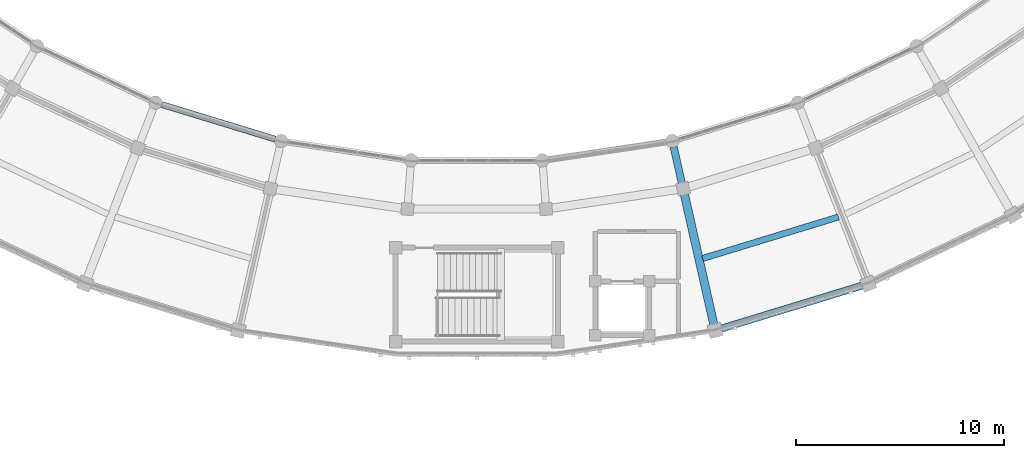
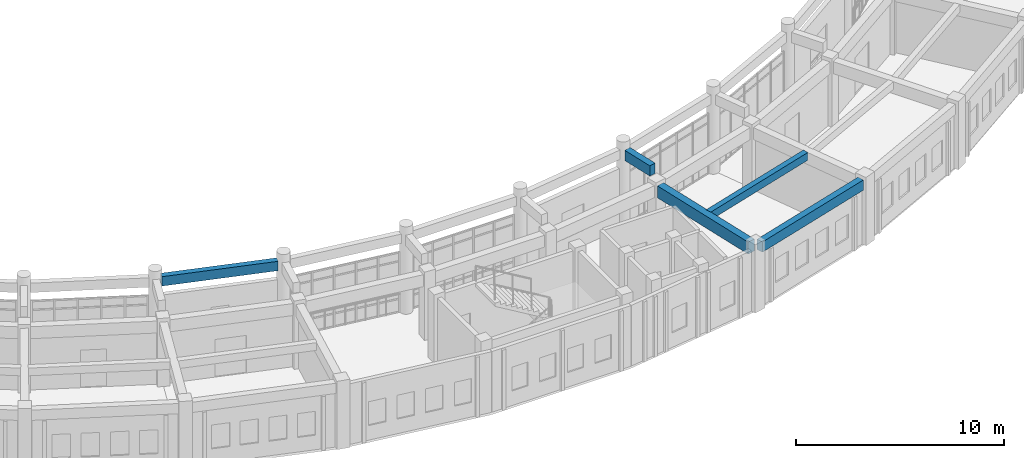
# One storey, part 35 of 159: 5 beams.
"""IFC4 building model written with IfcOpenShell, lengths in metres."""

from ifc_helpers import new_model, si_unit, direction, frame, origin, origin_2d, place, context, subcontext, project, spatial, rectangle, extrude, material, material_profile, profile_set, type_object, element, save


model = new_model("IFC4")

# Units and contexts
model_context = context("Model", 3, precision=1e-05, world=origin(), true_north=direction((0.0, 1.0)))
body_context = subcontext(model_context, "Body", "Model", "MODEL_VIEW")
ifc_project = project(units=[si_unit("LENGTHUNIT", "METRE"), si_unit("AREAUNIT", "SQUARE_METRE"), si_unit("VOLUMEUNIT", "CUBIC_METRE"), si_unit("PLANEANGLEUNIT", "RADIAN"), si_unit("MASSUNIT", "GRAM", prefix="KILO")], contexts=[model_context])

# Site, building, storey
site_placement = place(None, origin())
site = spatial("IfcSite", under=ifc_project, at=site_placement, CompositionType="ELEMENT")
building_placement = place(site_placement, origin())
building = spatial("IfcBuilding", under=site, at=building_placement, Name="Celadon Cloister-Ring School", CompositionType="ELEMENT")
storey_placement = place(building_placement, frame((0.0, 0.0, 4.5)))
storey = spatial("IfcBuildingStorey", under=building, at=storey_placement, Name="L01", CompositionType="ELEMENT", Elevation=4.5)

# Beams
ifc_material_1 = material(Name="Concrete C35/45", Category="concrete")
ifc_material_profile_1 = material_profile(ifc_material_1, rectangle(XDim=0.35009765625, YDim=0.60009765625, at=origin_2d()), Name="RC350X600")
ifc_profile_set_1 = profile_set([ifc_material_profile_1], Name="Concrete C35/45")
beam_type_1 = type_object("IfcBeamType", Name="BT-02", PredefinedType="BEAM", material=ifc_profile_set_1)
beam_1_placement = place(storey_placement, frame((96.865966796875, 15.376953125, 4.35009765625), z_axis=(-0.220788618037, 0.975321683418, 0.0), x_axis=(-0.975321683418, -0.220788618037, 0.0)))
element("IfcBeam", 1, at=beam_1_placement, inside=storey, type_object=beam_type_1, Name="Beam 0235", PredefinedType="BEAM", context=body_context, shape_type="SweptSolid", body=[
    extrude(rectangle(XDim=0.35009765625, YDim=0.60009765625, at=origin_2d()), origin(), (0.0, 0.0, 1.0), 1.774658203125),
])
ifc_material_2 = material(Name="Concrete C35/45", Category="concrete")
ifc_material_profile_2 = material_profile(ifc_material_2, rectangle(XDim=0.39990234375, YDim=0.699951171875, at=origin_2d()), Name="RC400X700")
ifc_profile_set_2 = profile_set([ifc_material_profile_2], Name="Concrete C35/45")
beam_type_2 = type_object("IfcBeamType", Name="GT-03", PredefinedType="USERDEFINED", material=ifc_profile_set_2)
beam_2_placement = place(storey_placement, frame((98.405029296875, 8.573974609375, 3.429931640625), z_axis=(-0.220533763019, 0.975379341266, 0.0), x_axis=(-0.975379341266, -0.220533763019, 0.0)))
element("IfcBeam", 2, at=beam_2_placement, inside=storey, type_object=beam_type_2, Name="Beam 0234", ObjectType="GIRDER", PredefinedType="USERDEFINED", context=body_context, shape_type="SweptSolid", body=[
    extrude(rectangle(XDim=0.39990234375, YDim=0.699951171875, at=origin_2d()), origin(), (0.0, 0.0, 1.0), 6.42529296875),
])
ifc_material_3 = material(Name="Concrete C35/45", Category="concrete")
ifc_material_profile_3 = material_profile(ifc_material_3, rectangle(XDim=0.300048828125, YDim=0.449951171875, at=origin_2d()), Name="RC300X450")
ifc_profile_set_3 = profile_set([ifc_material_profile_3], Name="Concrete C35/45")
beam_type_3 = type_object("IfcBeamType", Name="JT-01", PredefinedType="JOIST", material=ifc_profile_set_3)
beam_3_placement = place(storey_placement, frame((97.865966796875, 11.74609375, 3.554931640625), z_axis=(0.956337152336, 0.292265719957, 0.0), x_axis=(-0.292265719957, 0.956337152336, 0.0)))
element("IfcBeam", 3, at=beam_3_placement, inside=storey, type_object=beam_type_3, Name="Beam 0338", PredefinedType="JOIST", context=body_context, shape_type="SweptSolid", body=[
    extrude(rectangle(XDim=0.300048828125, YDim=0.449951171875, at=origin_2d()), origin(), (0.0, 0.0, 1.0), 6.83544921875),
])
ifc_material_4 = material(Name="Concrete C35/45", Category="concrete")
ifc_material_profile_4 = material_profile(ifc_material_4, rectangle(XDim=0.35009765625, YDim=0.60009765625, at=origin_2d()), Name="RC350X600")
ifc_profile_set_4 = profile_set([ifc_material_profile_4], Name="Concrete C35/45")
beam_type_4 = type_object("IfcBeamType", Name="SP-01", PredefinedType="SPANDREL", material=ifc_profile_set_4)
beam_4_placement = place(storey_placement, frame((98.758056640625, 8.368896484375, 3.47998046875), z_axis=(0.9563686463, 0.292162647123, 0.0), x_axis=(-0.292162647123, 0.9563686463, 0.0)))
element("IfcBeam", 4, at=beam_4_placement, inside=storey, type_object=beam_type_4, Name="Beam 0335", PredefinedType="SPANDREL", context=body_context, shape_type="SweptSolid", body=[
    extrude(rectangle(XDim=0.35009765625, YDim=0.60009765625, at=origin_2d()), origin(), (0.0, 0.0, 1.0), 7.102783203125),
])
ifc_material_5 = material(Name="Concrete C35/45", Category="concrete")
ifc_material_profile_5 = material_profile(ifc_material_5, rectangle(XDim=0.300048828125, YDim=0.550048828125, at=origin_2d()), Name="RC300X550")
ifc_profile_set_5 = profile_set([ifc_material_profile_5], Name="Concrete C35/45")
beam_type_5 = type_object("IfcBeamType", Name="SP-02", PredefinedType="SPANDREL", material=ifc_profile_set_5)
beam_5_placement = place(storey_placement, frame((71.8359375, 19.158935546875, 4.375), z_axis=(0.956408228497, -0.292033046869, 0.0), x_axis=(0.292033046869, 0.956408228497, 0.0)))
element("IfcBeam", 5, at=beam_5_placement, inside=storey, type_object=beam_type_5, Name="Beam 0327", PredefinedType="SPANDREL", context=body_context, shape_type="SweptSolid", body=[
    extrude(rectangle(XDim=0.300048828125, YDim=0.550048828125, at=origin_2d()), origin(), (0.0, 0.0, 1.0), 5.71826171875),
])

save(model, "model.ifc")
